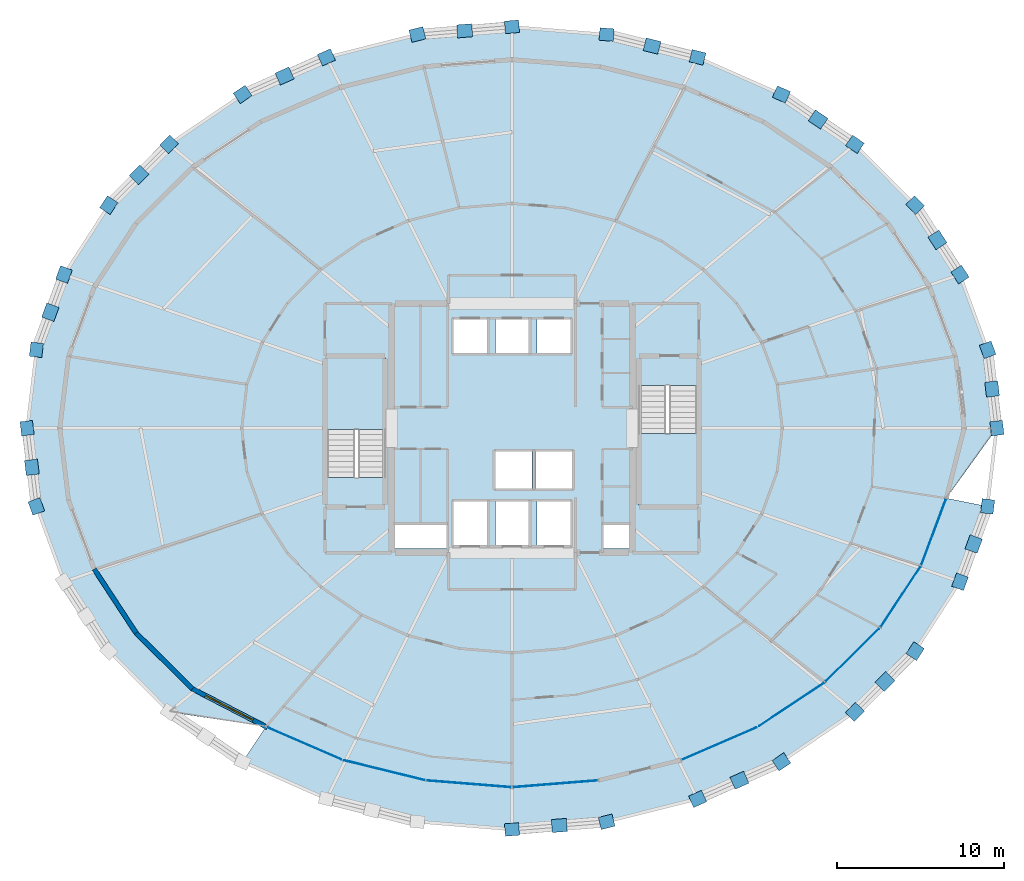
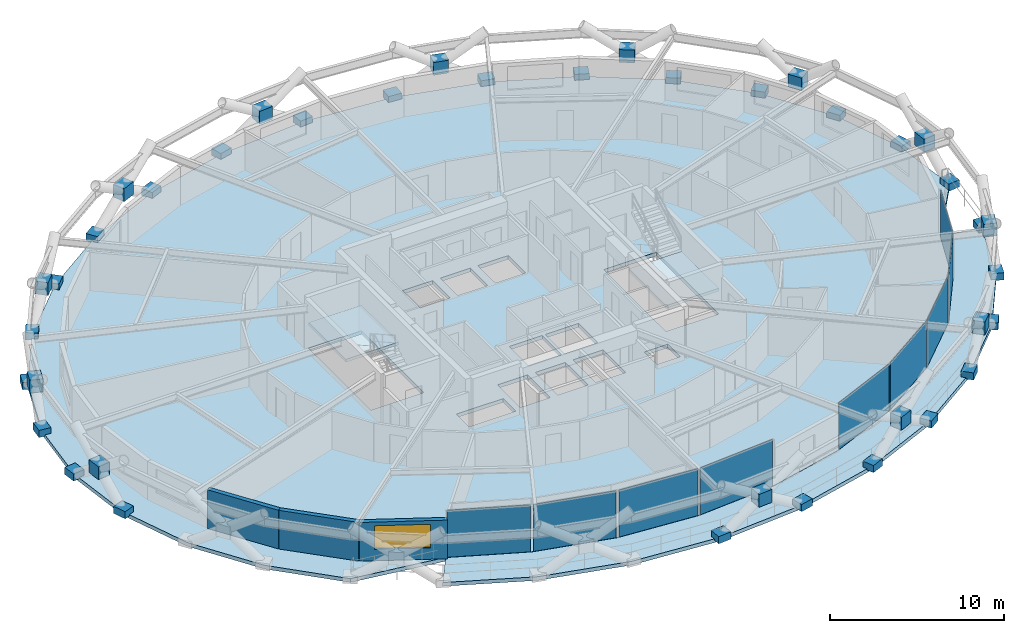
# One storey, part 14 of 22: 48 plates, 4 slabs, 3 walls, 1 window, 1 opening, 4 elements without a shape of their own.
"""IFC4 building model written with IfcOpenShell, lengths in metres."""

import ifcopenshell
import ifcopenshell.guid

model = None  # the IFC model being written
_history = None  # IfcOwnerHistory: only IFC2X3 demands one
_inside = {}  # id of a spatial element -> (the spatial element, [elements in it])
_under = {}  # id of a project, library or spatial element -> (it, [spatial elements below it])
_declared = {}  # id of a project -> (the project, [libraries it declares])
_typed = {}  # id of a type object -> (the type object, [elements of that type])
_made_of = {}  # id of a material, layer set ... -> (it, [elements and type objects made of it])


def new_model(schema):
    """Start an empty IFC model of exactly this schema.

    Asked for "IFC4X3", IfcOpenShell would pick the latest addendum, in which some entities
    have other attributes; the version numbers below select the first issue.
    IFC2X3 requires an IfcOwnerHistory on every rooted entity: one is made here for all.
    """
    global model, _history
    if schema == "IFC4X3":
        model = ifcopenshell.file(schema_version=(4, 3, 0, 0))
    else:
        model = ifcopenshell.file(schema=schema)
    _inside.clear()
    _under.clear()
    _declared.clear()
    _typed.clear()
    _made_of.clear()
    _history = None
    if model.schema == "IFC2X3":
        org = make("IfcOrganization", Name="unknown")
        user = make(
            "IfcPersonAndOrganization",
            ThePerson=make("IfcPerson", FamilyName="unknown"),
            TheOrganization=org,
        )
        app = make(
            "IfcApplication",
            ApplicationDeveloper=org,
            Version="unknown",
            ApplicationFullName="unknown",
            ApplicationIdentifier="unknown",
        )
        _history = make(
            "IfcOwnerHistory",
            OwningUser=user,
            OwningApplication=app,
            ChangeAction="ADDED",
            CreationDate=0,
        )
    return model


def make(cls, **values):
    """One entity of the class cls with the attributes given. An attribute that is None is left unset."""
    return model.create_entity(
        cls, **{name: value for name, value in values.items() if value is not None}
    )


def rooted(cls, **values):
    """An entity with a GlobalId (a new one), such as an element, a storey or a relation."""
    return make(cls, GlobalId=ifcopenshell.guid.new(), OwnerHistory=_history, **values)


def si_unit(unit_type, name, prefix=None):
    """IfcSIUnit, for example si_unit("LENGTHUNIT", "METRE", prefix="MILLI")."""
    return make("IfcSIUnit", UnitType=unit_type, Prefix=prefix, Name=name)


def assignment(units):
    """IfcUnitAssignment: the units of a project."""
    return None if units is None else make("IfcUnitAssignment", Units=units)


def point(xyz):
    """IfcCartesianPoint."""
    return None if xyz is None else make("IfcCartesianPoint", Coordinates=xyz)


def direction(xyz):
    """IfcDirection."""
    return None if xyz is None else make("IfcDirection", DirectionRatios=xyz)


def frame(location, z_axis=None, x_axis=None):
    """IfcAxis2Placement3D, a coordinate frame: its origin and axes. An axis left out is left unset."""
    return make(
        "IfcAxis2Placement3D",
        Location=point(location),
        Axis=direction(z_axis),
        RefDirection=direction(x_axis),
    )


def frame_2d(location, x_axis=None):
    """IfcAxis2Placement2D, a coordinate frame in the plane: its origin and x axis."""
    return make(
        "IfcAxis2Placement2D", Location=point(location), RefDirection=direction(x_axis)
    )


def origin():
    """The frame at (0, 0, 0) with its axes left unset."""
    return frame((0.0, 0.0, 0.0))


def origin_2d():
    """The frame at (0, 0) in the plane with its x axis left unset."""
    return frame_2d((0.0, 0.0))


def place(relative_to, where):
    """IfcLocalPlacement: puts the frame where relative to a parent placement (None: the world)."""
    return make(
        "IfcLocalPlacement", PlacementRelTo=relative_to, RelativePlacement=where
    )


def context(
    kind, dimensions, precision=None, world=None, true_north=None, identifier=None
):
    """IfcGeometricRepresentationContext, for example the 3D "Model" context."""
    return make(
        "IfcGeometricRepresentationContext",
        ContextIdentifier=identifier,
        ContextType=kind,
        CoordinateSpaceDimension=dimensions,
        Precision=precision,
        WorldCoordinateSystem=world,
        TrueNorth=true_north,
    )


def subcontext(parent, identifier, kind, view, scale=None):
    """IfcGeometricRepresentationSubContext, for example "Body" below "Model"."""
    return make(
        "IfcGeometricRepresentationSubContext",
        ContextIdentifier=identifier,
        ContextType=kind,
        ParentContext=parent,
        TargetScale=scale,
        TargetView=view,
    )


def project(units=None, contexts=None):
    """IfcProject with its units and contexts."""
    return rooted(
        "IfcProject",
        Name="project",
        RepresentationContexts=contexts,
        UnitsInContext=assignment(units),
    )


def spatial(cls, under=None, at=None, **own):
    """A site, building, storey or space (cls), placed at a placement, below another one or the project."""
    s = rooted(cls, ObjectPlacement=at, **own)
    if under is not None:
        _under.setdefault(under.id(), (under, []))[1].append(s)
    return s


def polyline(points):
    """IfcPolyline through the points."""
    return make("IfcPolyline", Points=[point(p) for p in points])


def profile(cls, at=None, kind="AREA", **sizes):
    """A parametric profile (cls). Its sizes go by their IFC names, for example OverallWidth=200.0."""
    return make(cls, ProfileType=kind, Position=at, **sizes)


def rectangle(**sizes):
    """IfcRectangleProfileDef."""
    return profile("IfcRectangleProfileDef", **sizes)


def outline(outer, holes=None, kind="AREA"):
    """IfcArbitraryClosedProfileDef: a profile drawn as a closed curve; with holes, ...WithVoids."""
    if holes is None:
        return make("IfcArbitraryClosedProfileDef", ProfileType=kind, OuterCurve=outer)
    return make(
        "IfcArbitraryProfileDefWithVoids",
        ProfileType=kind,
        OuterCurve=outer,
        InnerCurves=holes,
    )


def extrude(swept, where, along, depth):
    """IfcExtrudedAreaSolid: the profile swept, set in the frame where, extruded along a direction by depth."""
    return make(
        "IfcExtrudedAreaSolid",
        SweptArea=swept,
        Position=where,
        ExtrudedDirection=direction(along),
        Depth=depth,
    )


def shape(context_of_items, identifier, shape_type, items):
    """IfcShapeRepresentation: the items that make up one representation, for example the "Body"."""
    return make(
        "IfcShapeRepresentation",
        ContextOfItems=context_of_items,
        RepresentationIdentifier=identifier,
        RepresentationType=shape_type,
        Items=items,
    )


def material(Name=None, Category=None):
    """IfcMaterial."""
    return make("IfcMaterial", Name=Name, Category=Category)


def layer(
    of_material, thickness, ventilated=None, Name=None, Category=None, Priority=None
):
    """IfcMaterialLayer: one layer of a wall or slab, of a material (None: an air gap)."""
    return make(
        "IfcMaterialLayer",
        Material=of_material,
        LayerThickness=thickness,
        IsVentilated=ventilated,
        Name=Name,
        Category=Category,
        Priority=Priority,
    )


def layer_set(layers, Name=None):
    """IfcMaterialLayerSet."""
    return make("IfcMaterialLayerSet", MaterialLayers=layers, LayerSetName=Name)


def made_of(thing, what):
    """Note that an element or type object is made of a material, layer set ...; save() writes the relation."""
    if what is not None:
        _made_of.setdefault(what.id(), (what, []))[1].append(thing)
    return thing


def type_object(cls, material=None, **own):
    """A type object (cls), such as IfcWallType, which elements share."""
    return made_of(rooted(cls, **own), material)


def element(
    cls,
    number,
    at=None,
    inside=None,
    cuts=None,
    type_object=None,
    material=None,
    context=None,
    identifier="Body",
    shape_type=None,
    held_by="IfcProductDefinitionShape",
    body=None,
    shapes=None,
    **own,
):
    """One element of the class cls, such as IfcWall. Its Tag is "e" and its number.

    at: its placement. inside: the storey or other place that contains it. cuts: it is an
    opening in that element (IfcRelVoidsElement). A single representation is given by context,
    identifier, shape_type and body (its items); several are given by shapes. held_by: the class
    of the entity that holds the representations. save() writes the other relations.
    """
    e = rooted(cls, Tag="e%d" % number, ObjectPlacement=at, **own)
    if body is not None:
        shapes = [shape(context, identifier, shape_type, body)]
    if shapes is not None:
        e.Representation = make(held_by, Representations=shapes)
    if inside is not None:
        _inside.setdefault(inside.id(), (inside, []))[1].append(e)
    if cuts is not None:
        rooted(
            "IfcRelVoidsElement", RelatingBuildingElement=cuts, RelatedOpeningElement=e
        )
    if type_object is not None:
        _typed.setdefault(type_object.id(), (type_object, []))[1].append(e)
    return made_of(e, material)


def fill(opening, filler):
    """IfcRelFillsElement: the door or window that sits in an opening."""
    return rooted(
        "IfcRelFillsElement",
        RelatingOpeningElement=opening,
        RelatedBuildingElement=filler,
    )


def aggregate(whole, parts):
    """IfcRelAggregates: a whole, such as a stair, and the parts it consists of."""
    return rooted("IfcRelAggregates", RelatingObject=whole, RelatedObjects=parts)


def save(model, path):
    """Write the relations noted so far, then the file.

    IfcRelAggregates (storeys below a building ...), IfcRelContainedInSpatialStructure (elements
    in a storey), IfcRelDefinesByType, IfcRelAssociatesMaterial and IfcRelDeclares: one each for
    every whole, place, type object, material and project.
    """
    for whole, parts in _under.values():
        aggregate(whole, parts)
    for where, things in _inside.values():
        rooted(
            "IfcRelContainedInSpatialStructure",
            RelatedElements=things,
            RelatingStructure=where,
        )
    for kind, things in _typed.values():
        rooted("IfcRelDefinesByType", RelatedObjects=things, RelatingType=kind)
    for what, things in _made_of.values():
        rooted("IfcRelAssociatesMaterial", RelatedObjects=things, RelatingMaterial=what)
    for by, libraries in _declared.values():
        rooted("IfcRelDeclares", RelatingContext=by, RelatedDefinitions=libraries)
    model.write(path)


model = new_model("IFC4")

# Units and contexts
model_context = context("Model", 3, precision=1e-05, world=origin(), true_north=direction((0.0, 1.0)))
body_context = subcontext(model_context, "Body", "Model", "MODEL_VIEW")
ifc_project = project(units=[si_unit("LENGTHUNIT", "METRE"), si_unit("AREAUNIT", "SQUARE_METRE"), si_unit("VOLUMEUNIT", "CUBIC_METRE"), si_unit("PLANEANGLEUNIT", "RADIAN"), si_unit("MASSUNIT", "GRAM", prefix="KILO")], contexts=[model_context])

# Site, building, storey
site_placement = place(None, origin())
site = spatial("IfcSite", under=ifc_project, at=site_placement, CompositionType="ELEMENT")
building_placement = place(site_placement, origin())
building = spatial("IfcBuilding", under=site, at=building_placement, Name="Veldorina Hangang Commons", CompositionType="ELEMENT")
storey_placement = place(building_placement, frame((0.0, 0.0, 80.800048828125)))
storey = spatial("IfcBuildingStorey", under=building, at=storey_placement, Name="L20", CompositionType="ELEMENT", Elevation=80.800048828125)

# Curtain wall, plates
ifc_material_1 = material(Name="Glass Low-E Triple IGU", Category="glass")
ifc_layer_1 = layer(ifc_material_1, 0.179931640625)
ifc_layer_set_1 = layer_set([ifc_layer_1], Name="Glass Low-E Triple IGU")
curtain_wall_type = type_object("IfcCurtainWallType", Name="CW-SYS-Z1", PredefinedType="NOTDEFINED", material=ifc_layer_set_1)
curtain_wall_1_placement = place(storey_placement, origin())
curtain_wall_1 = element("IfcCurtainWall", 1, at=curtain_wall_1_placement, inside=storey, type_object=curtain_wall_type, Name="L20 unitised curtain wall CW-L20-R1", PredefinedType="NOTDEFINED")
ifc_layer_2 = layer(ifc_material_1, 0.0400390625)
ifc_layer_set_2 = layer_set([ifc_layer_2], Name="Glass Low-E Triple IGU")
plate_type_1 = type_object("IfcPlateType", Name="CW-PNL-VIS", PredefinedType="CURTAIN_PANEL", material=ifc_layer_set_2)
plate_1_placement = place(storey_placement, frame((19.577392578125, 5.1474609375, 0.014892578125), z_axis=(0.0, 0.0, 1.0), x_axis=(0.917477140523, -0.397788507398, 0.0)))
plate_1 = element("IfcPlate", 2, at=plate_1_placement, type_object=plate_type_1, Name="CW-L20-R1 facet 1 glazed vision panel", PredefinedType="CURTAIN_PANEL", context=body_context, shape_type="SweptSolid", body=[
    extrude(rectangle(XDim=4.809814453125, YDim=0.0400390625, at=origin_2d()), origin(), (0.0, 0.0, 1.0), 3.27001953125),
])
plate_2_placement = place(storey_placement, frame((24.35009765625, 3.5439453125, 0.014892578125), z_axis=(0.0, 0.0, 1.0), x_axis=(0.971030107613, -0.238957172125, 0.0)))
plate_2 = element("IfcPlate", 3, at=plate_2_placement, type_object=plate_type_1, Name="CW-L20-R1 facet 2 glazed vision panel", PredefinedType="CURTAIN_PANEL", context=body_context, shape_type="SweptSolid", body=[
    extrude(rectangle(XDim=4.935791015625, YDim=0.0400390625, at=origin_2d()), origin(), (0.0, 0.0, 1.0), 3.27001953125),
])
plate_3_placement = place(storey_placement, frame((29.4169921875, 2.726318359375, 0.014892578125), z_axis=(0.0, 0.0, 1.0), x_axis=(0.996823514521, -0.079642205503, 0.0)))
plate_3 = element("IfcPlate", 4, at=plate_3_placement, type_object=plate_type_1, Name="CW-L20-R1 facet 3 glazed vision panel", PredefinedType="CURTAIN_PANEL", context=body_context, shape_type="SweptSolid", body=[
    extrude(rectangle(XDim=5.00244140625, YDim=0.0400390625, at=origin_2d()), origin(), (0.0, 0.0, 1.0), 3.27001953125),
])
plate_4_placement = place(storey_placement, frame((34.5830078125, 2.726318359375, 0.014892578125), z_axis=(0.0, 0.0, 1.0), x_axis=(0.996823514521, 0.079642205503, 0.0)))
plate_4 = element("IfcPlate", 5, at=plate_4_placement, type_object=plate_type_1, Name="CW-L20-R1 facet 4 glazed vision panel", PredefinedType="CURTAIN_PANEL", context=body_context, shape_type="SweptSolid", body=[
    extrude(rectangle(XDim=5.00244140625, YDim=0.0400390625, at=origin_2d()), origin(), (0.0, 0.0, 1.0), 3.27001953125),
])
aggregate(curtain_wall_1, [plate_1, plate_2, plate_3, plate_4])

curtain_wall_2_placement = place(storey_placement, origin())
curtain_wall_2 = element("IfcCurtainWall", 6, at=curtain_wall_2_placement, inside=storey, type_object=curtain_wall_type, Name="L20 unitised curtain wall CW-L20-R2", PredefinedType="NOTDEFINED")
plate_5_placement = place(storey_placement, frame((44.422607421875, 5.1474609375, 0.014892578125), z_axis=(0.0, 0.0, 1.0), x_axis=(0.917477140523, 0.397788507398, 0.0)))
plate_5 = element("IfcPlate", 7, at=plate_5_placement, type_object=plate_type_1, Name="CW-L20-R2 facet 1 glazed vision panel", PredefinedType="CURTAIN_PANEL", context=body_context, shape_type="SweptSolid", body=[
    extrude(rectangle(XDim=4.809814453125, YDim=0.0400390625, at=origin_2d()), origin(), (0.0, 0.0, 1.0), 3.27001953125),
])
plate_6_placement = place(storey_placement, frame((48.7177734375, 7.4755859375, 0.014892578125), z_axis=(0.0, 0.0, 1.0), x_axis=(0.832418655508, 0.554147256568, 0.0)))
plate_6 = element("IfcPlate", 8, at=plate_6_placement, type_object=plate_type_1, Name="CW-L20-R2 facet 2 glazed vision panel", PredefinedType="CURTAIN_PANEL", context=body_context, shape_type="SweptSolid", body=[
    extrude(rectangle(XDim=4.640380859375, YDim=0.0400390625, at=origin_2d()), origin(), (0.0, 0.0, 1.0), 3.27001953125),
])
plate_7_placement = place(storey_placement, frame((52.370849609375, 10.438720703125, 0.014892578125), z_axis=(0.0, 0.0, 1.0), x_axis=(0.711192212706, 0.70299760781, 0.0)))
plate_7 = element("IfcPlate", 9, at=plate_7_placement, type_object=plate_type_1, Name="CW-L20-R2 facet 3 glazed vision panel", PredefinedType="CURTAIN_PANEL", context=body_context, shape_type="SweptSolid", body=[
    extrude(rectangle(XDim=4.450439453125, YDim=0.0400390625, at=origin_2d()), origin(), (0.0, 0.0, 1.0), 3.27001953125),
])
plate_8_placement = place(storey_placement, frame((55.24072265625, 13.923095703125, 0.014892578125), z_axis=(0.0, 0.0, 1.0), x_axis=(0.550218437733, 0.835020760687, 0.0)))
plate_8 = element("IfcPlate", 10, at=plate_8_placement, type_object=plate_type_1, Name="CW-L20-R2 facet 4 glazed vision panel", PredefinedType="CURTAIN_PANEL", context=body_context, shape_type="SweptSolid", body=[
    extrude(rectangle(XDim=4.267333984375, YDim=0.0400390625, at=origin_2d()), origin(), (0.0, 0.0, 1.0), 3.27001953125),
])
plate_9_placement = place(storey_placement, frame((57.2177734375, 17.794921875, 0.014892578125), z_axis=(0.0, 0.0, 1.0), x_axis=(0.350272772461, 0.936647737878, 0.0)))
plate_9 = element("IfcPlate", 11, at=plate_9_placement, type_object=plate_type_1, Name="CW-L20-R2 facet 5 glazed vision panel", PredefinedType="CURTAIN_PANEL", context=body_context, shape_type="SweptSolid", body=[
    extrude(rectangle(XDim=4.1220703125, YDim=0.0400390625, at=origin_2d()), origin(), (0.0, 0.0, 1.0), 3.27001953125),
])
aggregate(curtain_wall_2, [plate_5, plate_6, plate_7, plate_8, plate_9])

# Plates
ifc_material_2 = material(Name="Steel SM460-TMC", Category="steel")
ifc_layer_3 = layer(ifc_material_2, 0.035888671875)
ifc_layer_set_3 = layer_set([ifc_layer_3], Name="Steel SM460-TMC")
plate_type_2 = type_object("IfcPlateType", Name="PL-STAR-36", PredefinedType="USERDEFINED", material=ifc_layer_set_3)
plate_10_placement = place(storey_placement, frame((61.0, 24.0, -0.090087890625), z_axis=(0.0, 0.0, 1.0), x_axis=(-0.118178668534, 0.992992347555, 0.0)))
element("IfcPlate", 12, at=plate_10_placement, inside=storey, type_object=plate_type_2, Name="L20 diagrid star-node gusset plate 00", ObjectType="GUSSET PLATE", PredefinedType="USERDEFINED", context=body_context, shape_type="SweptSolid", body=[
    extrude(rectangle(XDim=0.85009765625, YDim=0.75, at=origin_2d()), origin(), (0.0, 0.0, 1.0), 0.5),
])
plate_11_placement = place(storey_placement, frame((60.7109375, 26.34033203125, 1.3505859375), z_axis=(0.0, 0.0, 1.0), x_axis=(-0.118178668534, 0.992992347555, 0.0)))
element("IfcPlate", 13, at=plate_11_placement, inside=storey, type_object=plate_type_2, Name="L20 diagrid X-crossing star-node gusset plate 00", ObjectType="GUSSET PLATE", PredefinedType="USERDEFINED", context=body_context, shape_type="SweptSolid", body=[
    extrude(rectangle(XDim=0.89990234375, YDim=0.780029296875, at=origin_2d()), origin(), (0.0, 0.0, 1.0), 0.89990234375),
])
for number, where, z_axis, x_axis, name in (
    (14, (60.44287109375, 28.68212890625, -0.090087890625), (0.0, 0.0, 1.0), (-0.344167743147, 0.938908176861, 0.0), "L20 diagrid star-node gusset plate 01"),
    (15, (58.79248046875, 33.184326171875, -0.090087890625), (0.0, 0.0, 1.0), (-0.542544169404, 0.840027275894, 0.0), "L20 diagrid star-node gusset plate 02"),
):
    element("IfcPlate", number, at=place(storey_placement, frame(where, z_axis=z_axis, x_axis=x_axis)), inside=storey, type_object=plate_type_2, Name=name, ObjectType="GUSSET PLATE", PredefinedType="USERDEFINED", context=body_context, shape_type="SweptSolid", body=[
        extrude(rectangle(XDim=0.85009765625, YDim=0.75, at=origin_2d()), origin(), (0.0, 0.0, 1.0), 0.5),
    ])
plate_12_placement = place(storey_placement, frame((57.443359375, 35.255615234375, 1.3505859375), z_axis=(0.0, 0.0, 1.0), x_axis=(-0.542544169404, 0.840027275894, 0.0)))
element("IfcPlate", 16, at=plate_12_placement, inside=storey, type_object=plate_type_2, Name="L20 diagrid X-crossing star-node gusset plate 02", ObjectType="GUSSET PLATE", PredefinedType="USERDEFINED", context=body_context, shape_type="SweptSolid", body=[
    extrude(rectangle(XDim=0.89990234375, YDim=0.780029296875, at=origin_2d()), origin(), (0.0, 0.0, 1.0), 0.89990234375),
])
for number, where, z_axis, x_axis, name in (
    (17, (56.112548828125, 37.333740234375, -0.090087890625), (0.0, 0.0, 1.0), (-0.704138664464, 0.710062491058, 0.0), "L20 diagrid star-node gusset plate 03"),
    (18, (52.506103515625, 40.970703125, -0.090087890625), (0.0, 0.0, 1.0), (-0.827247311362, 0.561837953368, 0.0), "L20 diagrid star-node gusset plate 04"),
):
    element("IfcPlate", number, at=place(storey_placement, frame(where, z_axis=z_axis, x_axis=x_axis)), inside=storey, type_object=plate_type_2, Name=name, ObjectType="GUSSET PLATE", PredefinedType="USERDEFINED", context=body_context, shape_type="SweptSolid", body=[
        extrude(rectangle(XDim=0.85009765625, YDim=0.75, at=origin_2d()), origin(), (0.0, 0.0, 1.0), 0.5),
    ])
plate_13_placement = place(storey_placement, frame((50.30224609375, 42.457275390625, 1.3505859375), z_axis=(0.0, 0.0, 1.0), x_axis=(-0.827247311362, 0.561837953368, 0.0)))
element("IfcPlate", 19, at=plate_13_placement, inside=storey, type_object=plate_type_2, Name="L20 diagrid X-crossing star-node gusset plate 04", ObjectType="GUSSET PLATE", PredefinedType="USERDEFINED", context=body_context, shape_type="SweptSolid", body=[
    extrude(rectangle(XDim=0.89990234375, YDim=0.780029296875, at=origin_2d()), origin(), (0.0, 0.0, 1.0), 0.89990234375),
])
for number, where, z_axis, x_axis, name in (
    (20, (48.111572265625, 43.955322265625, -0.090087890625), (0.0, 0.0, 1.0), (-0.914522454215, 0.404535141535, 0.0), "L20 diagrid star-node gusset plate 05"),
    (21, (43.097900390625, 46.173095703125, -0.090087890625), (0.0, 0.0, 1.0), (-0.969906020903, 0.243479589732, 0.0), "L20 diagrid star-node gusset plate 06"),
):
    element("IfcPlate", number, at=place(storey_placement, frame(where, z_axis=z_axis, x_axis=x_axis)), inside=storey, type_object=plate_type_2, Name=name, ObjectType="GUSSET PLATE", PredefinedType="USERDEFINED", context=body_context, shape_type="SweptSolid", body=[
        extrude(rectangle(XDim=0.85009765625, YDim=0.75, at=origin_2d()), origin(), (0.0, 0.0, 1.0), 0.5),
    ])
plate_14_placement = place(storey_placement, frame((40.374755859375, 46.84912109375, 1.3505859375), z_axis=(0.0, 0.0, 1.0), x_axis=(-0.969906020903, 0.243479589732, 0.0)))
element("IfcPlate", 22, at=plate_14_placement, inside=storey, type_object=plate_type_2, Name="L20 diagrid X-crossing star-node gusset plate 06", ObjectType="GUSSET PLATE", PredefinedType="USERDEFINED", context=body_context, shape_type="SweptSolid", body=[
    extrude(rectangle(XDim=0.89990234375, YDim=0.780029296875, at=origin_2d()), origin(), (0.0, 0.0, 1.0), 0.89990234375),
])
for number, where, z_axis, x_axis, name in (
    (23, (37.65771484375, 47.538818359375, -0.090087890625), (0.0, 0.0, 1.0), (-0.996694347809, 0.081242704565, 0.0), "L20 diagrid star-node gusset plate 07"),
    (24, (32.0, 48.0, -0.090087890625), (0.0, 0.0, 1.0), (-0.996694347809, -0.081242704565, 0.0), "L20 diagrid star-node gusset plate 08"),
):
    element("IfcPlate", number, at=place(storey_placement, frame(where, z_axis=z_axis, x_axis=x_axis)), inside=storey, type_object=plate_type_2, Name=name, ObjectType="GUSSET PLATE", PredefinedType="USERDEFINED", context=body_context, shape_type="SweptSolid", body=[
        extrude(rectangle(XDim=0.85009765625, YDim=0.75, at=origin_2d()), origin(), (0.0, 0.0, 1.0), 0.5),
    ])
plate_15_placement = place(storey_placement, frame((29.172119140625, 47.76220703125, 1.3505859375), z_axis=(0.0, 0.0, 1.0), x_axis=(-0.996694347809, -0.081242704565, 0.0)))
element("IfcPlate", 25, at=plate_15_placement, inside=storey, type_object=plate_type_2, Name="L20 diagrid X-crossing star-node gusset plate 08", ObjectType="GUSSET PLATE", PredefinedType="USERDEFINED", context=body_context, shape_type="SweptSolid", body=[
    extrude(rectangle(XDim=0.89990234375, YDim=0.780029296875, at=origin_2d()), origin(), (0.0, 0.0, 1.0), 0.89990234375),
])
for number, where, z_axis, x_axis, name in (
    (26, (26.34228515625, 47.538818359375, -0.090087890625), (0.0, 0.0, 1.0), (-0.969906020903, -0.243479589732, 0.0), "L20 diagrid star-node gusset plate 09"),
    (27, (20.902099609375, 46.173095703125, -0.090087890625), (0.0, 0.0, 1.0), (-0.914522454215, -0.404535141535, 0.0), "L20 diagrid star-node gusset plate 10"),
):
    element("IfcPlate", number, at=place(storey_placement, frame(where, z_axis=z_axis, x_axis=x_axis)), inside=storey, type_object=plate_type_2, Name=name, ObjectType="GUSSET PLATE", PredefinedType="USERDEFINED", context=body_context, shape_type="SweptSolid", body=[
        extrude(rectangle(XDim=0.85009765625, YDim=0.75, at=origin_2d()), origin(), (0.0, 0.0, 1.0), 0.5),
    ])
plate_16_placement = place(storey_placement, frame((18.400390625, 45.0576171875, 1.3505859375), z_axis=(0.0, 0.0, 1.0), x_axis=(-0.914522454215, -0.404535141535, 0.0)))
element("IfcPlate", 28, at=plate_16_placement, inside=storey, type_object=plate_type_2, Name="L20 diagrid X-crossing star-node gusset plate 10", ObjectType="GUSSET PLATE", PredefinedType="USERDEFINED", context=body_context, shape_type="SweptSolid", body=[
    extrude(rectangle(XDim=0.89990234375, YDim=0.780029296875, at=origin_2d()), origin(), (0.0, 0.0, 1.0), 0.89990234375),
])
for number, where, z_axis, x_axis, name in (
    (29, (15.888427734375, 43.955322265625, -0.090087890625), (0.0, 0.0, 1.0), (-0.827247311362, -0.561837953368, 0.0), "L20 diagrid star-node gusset plate 11"),
    (30, (11.493896484375, 40.970703125, -0.090087890625), (0.0, 0.0, 1.0), (-0.704138664464, -0.710062491058, 0.0), "L20 diagrid star-node gusset plate 12"),
):
    element("IfcPlate", number, at=place(storey_placement, frame(where, z_axis=z_axis, x_axis=x_axis)), inside=storey, type_object=plate_type_2, Name=name, ObjectType="GUSSET PLATE", PredefinedType="USERDEFINED", context=body_context, shape_type="SweptSolid", body=[
        extrude(rectangle(XDim=0.85009765625, YDim=0.75, at=origin_2d()), origin(), (0.0, 0.0, 1.0), 0.5),
    ])
plate_17_placement = place(storey_placement, frame((9.69873046875, 39.1474609375, 1.3505859375), z_axis=(0.0, 0.0, 1.0), x_axis=(-0.704138664464, -0.710062491058, 0.0)))
element("IfcPlate", 31, at=plate_17_placement, inside=storey, type_object=plate_type_2, Name="L20 diagrid X-crossing star-node gusset plate 12", ObjectType="GUSSET PLATE", PredefinedType="USERDEFINED", context=body_context, shape_type="SweptSolid", body=[
    extrude(rectangle(XDim=0.89990234375, YDim=0.780029296875, at=origin_2d()), origin(), (0.0, 0.0, 1.0), 0.89990234375),
])
for number, where, z_axis, x_axis, name in (
    (32, (7.887451171875, 37.333740234375, -0.090087890625), (0.0, 0.0, 1.0), (-0.542544169404, -0.840027275894, 0.0), "L20 diagrid star-node gusset plate 13"),
    (33, (5.20751953125, 33.184326171875, -0.090087890625), (0.0, 0.0, 1.0), (-0.344167743147, -0.938908176861, 0.0), "L20 diagrid star-node gusset plate 14"),
):
    element("IfcPlate", number, at=place(storey_placement, frame(where, z_axis=z_axis, x_axis=x_axis)), inside=storey, type_object=plate_type_2, Name=name, ObjectType="GUSSET PLATE", PredefinedType="USERDEFINED", context=body_context, shape_type="SweptSolid", body=[
        extrude(rectangle(XDim=0.85009765625, YDim=0.75, at=origin_2d()), origin(), (0.0, 0.0, 1.0), 0.5),
    ])
plate_18_placement = place(storey_placement, frame((4.392333984375, 30.93115234375, 1.3505859375), z_axis=(0.0, 0.0, 1.0), x_axis=(-0.344167743147, -0.938908176861, 0.0)))
element("IfcPlate", 34, at=plate_18_placement, inside=storey, type_object=plate_type_2, Name="L20 diagrid X-crossing star-node gusset plate 14", ObjectType="GUSSET PLATE", PredefinedType="USERDEFINED", context=body_context, shape_type="SweptSolid", body=[
    extrude(rectangle(XDim=0.89990234375, YDim=0.780029296875, at=origin_2d()), origin(), (0.0, 0.0, 1.0), 0.89990234375),
])
for number, where, z_axis, x_axis, name in (
    (35, (3.55712890625, 28.68212890625, -0.090087890625), (0.0, 0.0, 1.0), (-0.118178668534, -0.992992347555, 0.0), "L20 diagrid star-node gusset plate 15"),
    (36, (3.0, 24.0, -0.090087890625), (0.0, 0.0, 1.0), (0.118178668534, -0.992992347555, 0.0), "L20 diagrid star-node gusset plate 16"),
):
    element("IfcPlate", number, at=place(storey_placement, frame(where, z_axis=z_axis, x_axis=x_axis)), inside=storey, type_object=plate_type_2, Name=name, ObjectType="GUSSET PLATE", PredefinedType="USERDEFINED", context=body_context, shape_type="SweptSolid", body=[
        extrude(rectangle(XDim=0.85009765625, YDim=0.75, at=origin_2d()), origin(), (0.0, 0.0, 1.0), 0.5),
    ])
plate_19_placement = place(storey_placement, frame((3.2890625, 21.65966796875, 1.3505859375), z_axis=(0.0, 0.0, 1.0), x_axis=(0.118178668534, -0.992992347555, 0.0)))
element("IfcPlate", 37, at=plate_19_placement, inside=storey, type_object=plate_type_2, Name="L20 diagrid X-crossing star-node gusset plate 16", ObjectType="GUSSET PLATE", PredefinedType="USERDEFINED", context=body_context, shape_type="SweptSolid", body=[
    extrude(rectangle(XDim=0.89990234375, YDim=0.780029296875, at=origin_2d()), origin(), (0.0, 0.0, 1.0), 0.89990234375),
])
for number, where, z_axis, x_axis, name in (
    (38, (3.55712890625, 19.31787109375, -0.090087890625), (0.0, 0.0, 1.0), (0.344167743147, -0.938908176861, 0.0), "L20 diagrid star-node gusset plate 17"),
    (39, (32.0, 0.0, -0.090087890625), (0.0, 0.0, 1.0), (0.996694347809, 0.081242704565, 0.0), "L20 diagrid star-node gusset plate 24"),
):
    element("IfcPlate", number, at=place(storey_placement, frame(where, z_axis=z_axis, x_axis=x_axis)), inside=storey, type_object=plate_type_2, Name=name, ObjectType="GUSSET PLATE", PredefinedType="USERDEFINED", context=body_context, shape_type="SweptSolid", body=[
        extrude(rectangle(XDim=0.85009765625, YDim=0.75, at=origin_2d()), origin(), (0.0, 0.0, 1.0), 0.5),
    ])
plate_20_placement = place(storey_placement, frame((34.827880859375, 0.23779296875, 1.3505859375), z_axis=(0.0, 0.0, 1.0), x_axis=(0.996694347809, 0.081242704565, 0.0)))
element("IfcPlate", 40, at=plate_20_placement, inside=storey, type_object=plate_type_2, Name="L20 diagrid X-crossing star-node gusset plate 24", ObjectType="GUSSET PLATE", PredefinedType="USERDEFINED", context=body_context, shape_type="SweptSolid", body=[
    extrude(rectangle(XDim=0.89990234375, YDim=0.780029296875, at=origin_2d()), origin(), (0.0, 0.0, 1.0), 0.89990234375),
])
for number, where, z_axis, x_axis, name in (
    (41, (37.65771484375, 0.461181640625, -0.090087890625), (0.0, 0.0, 1.0), (0.969906020903, 0.243479589732, 0.0), "L20 diagrid star-node gusset plate 25"),
    (42, (43.097900390625, 1.826904296875, -0.090087890625), (0.0, 0.0, 1.0), (0.914522454215, 0.404535141535, 0.0), "L20 diagrid star-node gusset plate 26"),
):
    element("IfcPlate", number, at=place(storey_placement, frame(where, z_axis=z_axis, x_axis=x_axis)), inside=storey, type_object=plate_type_2, Name=name, ObjectType="GUSSET PLATE", PredefinedType="USERDEFINED", context=body_context, shape_type="SweptSolid", body=[
        extrude(rectangle(XDim=0.85009765625, YDim=0.75, at=origin_2d()), origin(), (0.0, 0.0, 1.0), 0.5),
    ])
plate_21_placement = place(storey_placement, frame((45.599609375, 2.9423828125, 1.3505859375), z_axis=(0.0, 0.0, 1.0), x_axis=(0.914522454215, 0.404535141535, 0.0)))
element("IfcPlate", 43, at=plate_21_placement, inside=storey, type_object=plate_type_2, Name="L20 diagrid X-crossing star-node gusset plate 26", ObjectType="GUSSET PLATE", PredefinedType="USERDEFINED", context=body_context, shape_type="SweptSolid", body=[
    extrude(rectangle(XDim=0.89990234375, YDim=0.780029296875, at=origin_2d()), origin(), (0.0, 0.0, 1.0), 0.89990234375),
])
for number, where, z_axis, x_axis, name in (
    (44, (48.111572265625, 4.044677734375, -0.090087890625), (0.0, 0.0, 1.0), (0.827247311362, 0.561837953368, 0.0), "L20 diagrid star-node gusset plate 27"),
    (45, (52.506103515625, 7.029296875, -0.090087890625), (0.0, 0.0, 1.0), (0.704138664464, 0.710062491058, 0.0), "L20 diagrid star-node gusset plate 28"),
):
    element("IfcPlate", number, at=place(storey_placement, frame(where, z_axis=z_axis, x_axis=x_axis)), inside=storey, type_object=plate_type_2, Name=name, ObjectType="GUSSET PLATE", PredefinedType="USERDEFINED", context=body_context, shape_type="SweptSolid", body=[
        extrude(rectangle(XDim=0.85009765625, YDim=0.75, at=origin_2d()), origin(), (0.0, 0.0, 1.0), 0.5),
    ])
plate_22_placement = place(storey_placement, frame((54.30126953125, 8.8525390625, 1.3505859375), z_axis=(0.0, 0.0, 1.0), x_axis=(0.704138664464, 0.710062491058, 0.0)))
element("IfcPlate", 46, at=plate_22_placement, inside=storey, type_object=plate_type_2, Name="L20 diagrid X-crossing star-node gusset plate 28", ObjectType="GUSSET PLATE", PredefinedType="USERDEFINED", context=body_context, shape_type="SweptSolid", body=[
    extrude(rectangle(XDim=0.89990234375, YDim=0.780029296875, at=origin_2d()), origin(), (0.0, 0.0, 1.0), 0.89990234375),
])
for number, where, z_axis, x_axis, name in (
    (47, (56.112548828125, 10.666259765625, -0.090087890625), (0.0, 0.0, 1.0), (0.542544169404, 0.840027275894, 0.0), "L20 diagrid star-node gusset plate 29"),
    (48, (58.79248046875, 14.815673828125, -0.090087890625), (0.0, 0.0, 1.0), (0.344167743147, 0.938908176861, 0.0), "L20 diagrid star-node gusset plate 30"),
):
    element("IfcPlate", number, at=place(storey_placement, frame(where, z_axis=z_axis, x_axis=x_axis)), inside=storey, type_object=plate_type_2, Name=name, ObjectType="GUSSET PLATE", PredefinedType="USERDEFINED", context=body_context, shape_type="SweptSolid", body=[
        extrude(rectangle(XDim=0.85009765625, YDim=0.75, at=origin_2d()), origin(), (0.0, 0.0, 1.0), 0.5),
    ])
plate_23_placement = place(storey_placement, frame((59.607666015625, 17.06884765625, 1.3505859375), z_axis=(0.0, 0.0, 1.0), x_axis=(0.344167743147, 0.938908176861, 0.0)))
element("IfcPlate", 49, at=plate_23_placement, inside=storey, type_object=plate_type_2, Name="L20 diagrid X-crossing star-node gusset plate 30", ObjectType="GUSSET PLATE", PredefinedType="USERDEFINED", context=body_context, shape_type="SweptSolid", body=[
    extrude(rectangle(XDim=0.89990234375, YDim=0.780029296875, at=origin_2d()), origin(), (0.0, 0.0, 1.0), 0.89990234375),
])
plate_24_placement = place(storey_placement, frame((60.44287109375, 19.31787109375, -0.090087890625), z_axis=(0.0, 0.0, 1.0), x_axis=(0.118178668534, 0.992992347555, 0.0)))
element("IfcPlate", 50, at=plate_24_placement, inside=storey, type_object=plate_type_2, Name="L20 diagrid star-node gusset plate 31", ObjectType="GUSSET PLATE", PredefinedType="USERDEFINED", context=body_context, shape_type="SweptSolid", body=[
    extrude(rectangle(XDim=0.85009765625, YDim=0.75, at=origin_2d()), origin(), (0.0, 0.0, 1.0), 0.5),
])

# Slabs
ifc_material_3 = material(Name="Concrete C40/50", Category="concrete")
ifc_layer_4 = layer(ifc_material_3, 0.260009765625)
ifc_layer_set_4 = layer_set([ifc_layer_4], Name="Concrete C40/50")
slab_type_1 = type_object("IfcSlabType", Name="SL-FLR-260", PredefinedType="FLOOR", material=ifc_layer_set_4)
slab_1_placement = place(storey_placement, frame((0.0, 0.0, -0.260009765625)))
element("IfcSlab", 51, at=slab_1_placement, inside=storey, type_object=slab_type_1, Name="L20 tower structural floor slab", PredefinedType="FLOOR", context=body_context, shape_type="SweptSolid", body=[
    extrude(outline(polyline([(61.0, 24.0), (60.44287109375, 28.68212890625), (58.79248046875, 33.184326171875), (56.112548828125, 37.333740234375), (52.506103515625, 40.970703125), (48.111572265625, 43.955322265625), (43.097900390625, 46.173095703125), (37.65771484375, 47.538818359375), (32.0, 48.0), (26.34228515625, 47.538818359375), (20.902099609375, 46.173095703125), (15.888427734375, 43.955322265625), (11.493896484375, 40.970703125), (7.887451171875, 37.333740234375), (5.20751953125, 33.184326171875), (3.55712890625, 28.68212890625), (3.0, 24.0), (3.55712890625, 19.31787109375), (5.20751953125, 14.815673828125), (7.887451171875, 10.666259765625), (11.493896484375, 7.029296875), (17.28857421875, 6.139892578125), (21.866455078125, 4.155029296875), (26.833984375, 2.9326171875), (32.0, 2.52001953125), (37.166015625, 2.9326171875), (42.133544921875, 4.155029296875), (46.71142578125, 6.139892578125), (50.72412109375, 8.811279296875), (54.017333984375, 12.06640625), (56.46435546875, 15.780029296875), (57.97119140625, 19.8095703125), (61.0, 24.0)]), holes=[polyline([(20.949951171875, 21.05810546875), (20.949951171875, 28.199951171875), (24.449951171875, 28.199951171875), (24.449951171875, 21.05810546875), (20.949951171875, 21.05810546875)]), polyline([(43.050048828125, 26.5419921875), (43.050048828125, 19.39990234375), (39.550048828125, 19.39990234375), (39.550048828125, 26.5419921875), (43.050048828125, 26.5419921875)]), polyline([(28.5, 30.5), (30.5, 30.5), (30.5, 28.5), (28.5, 28.5), (28.5, 30.5)]), polyline([(31.0, 30.5), (33.0, 30.5), (33.0, 28.5), (31.0, 28.5), (31.0, 30.5)]), polyline([(33.5, 30.5), (35.5, 30.5), (35.5, 28.5), (33.5, 28.5), (33.5, 30.5)]), polyline([(31.0, 22.60009765625), (33.199951171875, 22.60009765625), (33.199951171875, 20.39990234375), (31.0, 20.39990234375), (31.0, 22.60009765625)]), polyline([(33.39990234375, 22.60009765625), (35.60009765625, 22.60009765625), (35.60009765625, 20.39990234375), (33.39990234375, 20.39990234375), (33.39990234375, 22.60009765625)]), polyline([(28.5, 19.60009765625), (30.5, 19.60009765625), (30.5, 17.0), (28.5, 17.0), (28.5, 19.60009765625)]), polyline([(31.0, 19.60009765625), (33.0, 19.60009765625), (33.0, 17.0), (31.0, 17.0), (31.0, 19.60009765625)]), polyline([(33.5, 19.60009765625), (35.5, 19.60009765625), (35.5, 17.0), (33.5, 17.0), (33.5, 19.60009765625)]), polyline([(25.0, 18.25), (28.10009765625, 18.25), (28.10009765625, 16.800048828125), (25.0, 16.800048828125), (25.0, 18.25)]), polyline([(37.449951171875, 18.25), (39.0, 18.25), (39.0, 16.800048828125), (37.449951171875, 16.800048828125), (37.449951171875, 18.25)])]), origin(), (0.0, 0.0, 1.0), 0.260009765625),
])
slab_2_placement = place(storey_placement, frame((0.0, 0.0, -0.260009765625)))
element("IfcSlab", 52, at=slab_2_placement, inside=storey, type_object=slab_type_1, Name="L20 sky-garden loggia outdoor slab", PredefinedType="FLOOR", context=body_context, shape_type="SweptSolid", body=[
    extrude(outline(polyline([(60.44287109375, 19.31787109375), (58.79248046875, 14.815673828125), (56.112548828125, 10.666259765625), (52.506103515625, 7.029296875), (48.111572265625, 4.044677734375), (43.097900390625, 1.826904296875), (37.65771484375, 0.461181640625), (32.0, 0.0), (26.34228515625, 0.461181640625), (20.902099609375, 1.826904296875), (15.888427734375, 4.044677734375), (17.279296875, 6.126220703125), (17.2841796875, 6.12548828125), (21.860595703125, 4.141357421875), (21.86181640625, 4.140869140625), (21.86279296875, 4.140380859375), (26.830322265625, 2.918212890625), (26.83154296875, 2.91796875), (26.832763671875, 2.917724609375), (31.998779296875, 2.5048828125), (32.0, 2.5048828125), (32.001220703125, 2.5048828125), (37.167236328125, 2.917724609375), (37.16845703125, 2.91796875), (37.169677734375, 2.918212890625), (42.13720703125, 4.140380859375), (42.13818359375, 4.140869140625), (42.139404296875, 4.141357421875), (46.717529296875, 6.126220703125), (46.71875, 6.126708984375), (46.7197265625, 6.12744140625), (50.732421875, 8.798828125), (50.733642578125, 8.7998046875), (50.734619140625, 8.800537109375), (54.02783203125, 12.0556640625), (54.02880859375, 12.056884765625), (54.02978515625, 12.05810546875), (56.476806640625, 15.771728515625), (56.477783203125, 15.773193359375), (56.478271484375, 15.774658203125), (57.984619140625, 19.802490234375), (57.9873046875, 19.806396484375), (60.44287109375, 19.31787109375)])), origin(), (0.0, 0.0, 1.0), 0.260009765625),
])

# Stair, slab
stair_type = type_object("IfcStairType", Name="STR-DOG-1650-20R", PredefinedType="HALF_TURN_STAIR", material=ifc_material_3)
stair_1_placement = place(storey_placement, origin())
stair_1 = element("IfcStair", 53, at=stair_1_placement, inside=storey, type_object=stair_type, Name="L20 Exit stair ST-1", PredefinedType="HALF_TURN_STAIR")
ifc_layer_5 = layer(ifc_material_3, 0.199951171875)
ifc_layer_set_5 = layer_set([ifc_layer_5], Name="Concrete C40/50")
slab_type_2 = type_object("IfcSlabType", Name="SL-LND-200", PredefinedType="LANDING", material=ifc_layer_set_5)
slab_3_placement = place(storey_placement, frame((0.0, 0.0, 1.599853515625)))
slab_3 = element("IfcSlab", 54, at=slab_3_placement, type_object=slab_type_2, Name="ST-1 landing 1", PredefinedType="LANDING", context=body_context, shape_type="SweptSolid", body=[
    extrude(outline(polyline([(24.449951171875, 23.929931640625), (24.449951171875, 28.199951171875), (20.949951171875, 28.199951171875), (20.949951171875, 23.929931640625), (24.449951171875, 23.929931640625)])), origin(), (0.0, 0.0, 1.0), 0.2001953125),
])
aggregate(stair_1, [slab_3])

stair_2_placement = place(storey_placement, origin())
stair_2 = element("IfcStair", 55, at=stair_2_placement, inside=storey, type_object=stair_type, Name="L20 Exit stair ST-2", PredefinedType="HALF_TURN_STAIR")
slab_4_placement = place(storey_placement, frame((0.0, 0.0, 1.599853515625)))
slab_4 = element("IfcSlab", 56, at=slab_4_placement, type_object=slab_type_2, Name="ST-2 landing 1", PredefinedType="LANDING", context=body_context, shape_type="SweptSolid", body=[
    extrude(outline(polyline([(39.550048828125, 23.669921875), (39.550048828125, 19.39990234375), (43.050048828125, 19.39990234375), (43.050048828125, 23.669921875), (39.550048828125, 23.669921875)])), origin(), (0.0, 0.0, 1.0), 0.2001953125),
])
aggregate(stair_2, [slab_4])

# Walls
ifc_material_4 = material(Name="Stone Roman Travertine", Category="masonry")
ifc_layer_6 = layer(ifc_material_4, 0.280029296875)
ifc_layer_set_6 = layer_set([ifc_layer_6], Name="Stone Roman Travertine")
wall_type = type_object("IfcWallType", Name="EW-TRAV-280", PredefinedType="STANDARD", material=ifc_layer_set_6)
wall_1_placement = place(storey_placement, frame((7.018310546875, 15.565673828125, 0.0), z_axis=(0.0, 0.0, 1.0), x_axis=(0.54836617539, -0.83623832589, 0.0)))
element("IfcWall", 57, at=wall_1_placement, inside=storey, type_object=wall_type, Name="L20 travertine facade wall 18", PredefinedType="STANDARD", context=body_context, shape_type="SweptSolid", body=[
    extrude(rectangle(XDim=4.556884765625, YDim=0.280029296875, at=frame_2d((2.2783203125, 0.0))), origin(), (0.0, 0.0, 1.0), 2.7099609375),
])
wall_2_placement = place(storey_placement, frame((9.51708984375, 11.755126953125, 0.0), z_axis=(0.0, 0.0, 1.0), x_axis=(0.709523691603, -0.704681581322, 0.0)))
element("IfcWall", 58, at=wall_2_placement, inside=storey, type_object=wall_type, Name="L20 travertine facade wall 19", PredefinedType="STANDARD", context=body_context, shape_type="SweptSolid", body=[
    extrude(rectangle(XDim=4.739501953125, YDim=0.280029296875, at=frame_2d((2.36962890625, 0.0))), origin(), (0.0, 0.0, 1.0), 2.7099609375),
])

# Wall, opening, window
wall_3_placement = place(storey_placement, frame((12.8798828125, 8.415283203125, 0.0), z_axis=(0.0, 0.0, 1.0), x_axis=(0.88864352283, -0.45859861462, 0.0)))
wall_3 = element("IfcWall", 59, at=wall_3_placement, inside=storey, type_object=wall_type, Name="L20 travertine facade wall 20", PredefinedType="STANDARD", context=body_context, shape_type="SweptSolid", body=[
    extrude(rectangle(XDim=5.05322265625, YDim=0.280029296875, at=frame_2d((2.526611328125, 0.0))), origin(), (0.0, 0.0, 1.0), 2.7099609375),
])
opening_placement = place(wall_3_placement, frame((0.880615234375, 0.0, 0.800048828125)))
opening = element("IfcOpeningElement", 60, at=opening_placement, cuts=wall_3, Name="Opening W-01", PredefinedType="OPENING", context=body_context, shape_type="SweptSolid", body=[
    extrude(rectangle(XDim=3.199951171875, YDim=1.64990234375, at=frame_2d((1.60009765625, 0.824951171875))), frame((0.0, 0.14990234375, 0.0), z_axis=(0.0, -1.0, 0.0), x_axis=(1.0, 0.0, 0.0)), (0.0, 0.0, 1.0), 0.300048828125),
])
window_type = type_object("IfcWindowType", Name="WIN-TWR-3200", PartitioningType="SINGLE_PANEL", PredefinedType="WINDOW", material=ifc_material_1)
window_placement = place(opening_placement, origin())
window = element("IfcWindow", 61, at=window_placement, inside=storey, type_object=window_type, Name="L20 facade window 20", OverallHeight=1.64990234375, OverallWidth=3.199951171875, PartitioningType="SINGLE_PANEL", PredefinedType="WINDOW", context=body_context, shape_type="SweptSolid", body=[
    extrude(rectangle(XDim=3.199951171875, YDim=1.64990234375, at=frame_2d((1.60009765625, 0.824951171875))), frame((0.0, 0.030029296875, 0.0), z_axis=(0.0, -1.0, 0.0), x_axis=(1.0, 0.0, 0.0)), (0.0, 0.0, 1.0), 0.06005859375),
])
fill(opening, window)

save(model, "model.ifc")
